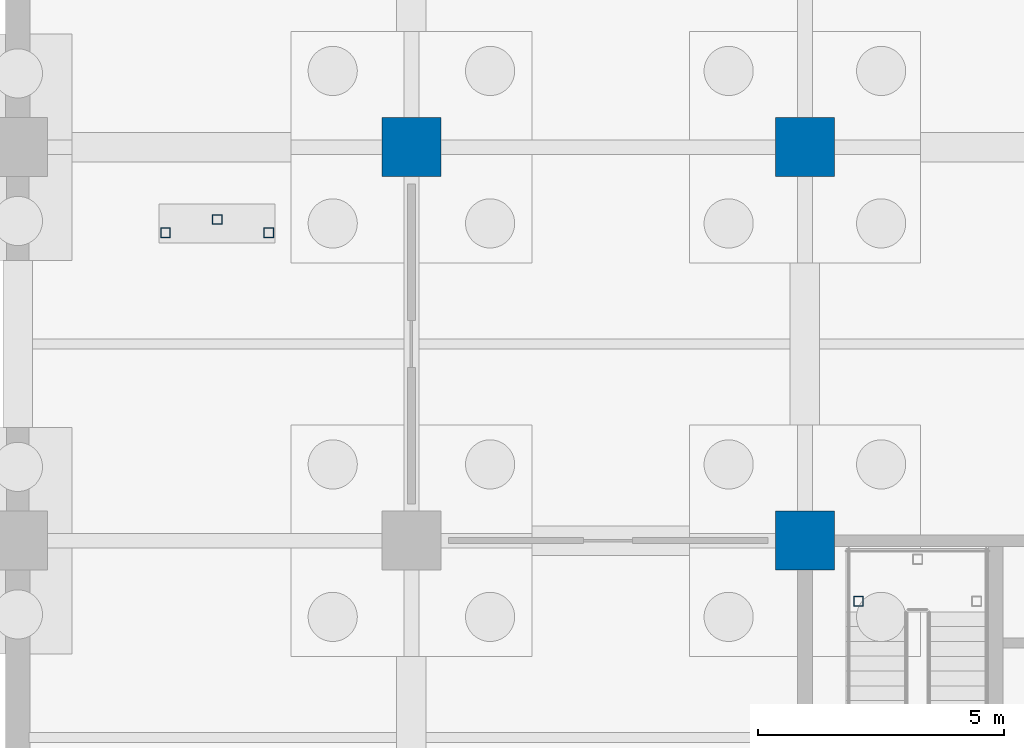
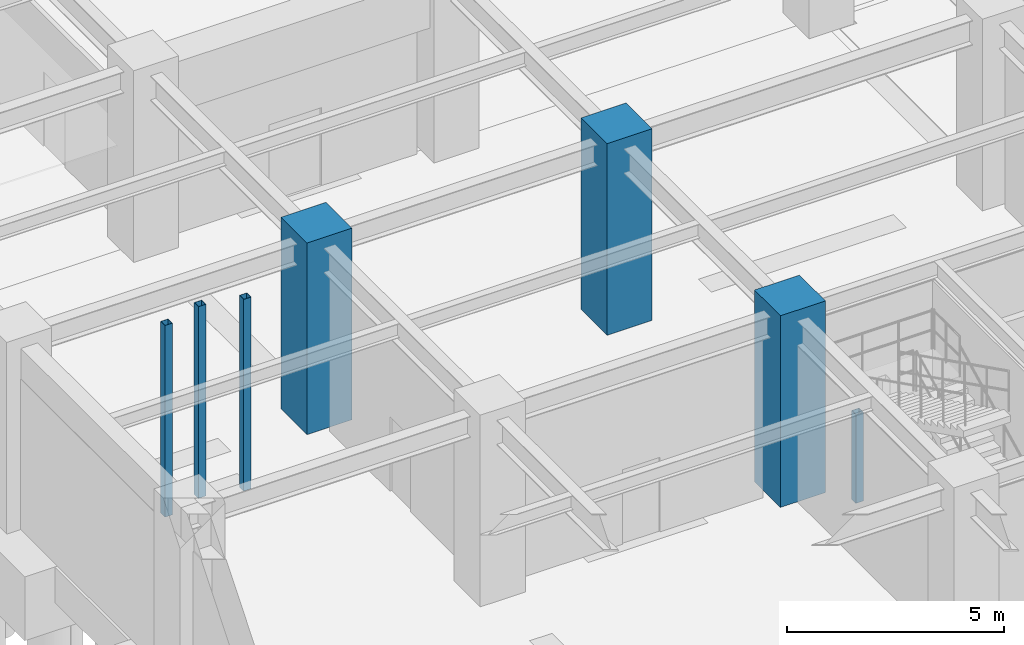
# One storey, part 47 of 97: 7 columns.
"""IFC4 building model written with IfcOpenShell, lengths in metres."""

import ifcopenshell
import ifcopenshell.guid

model = None  # the IFC model being written
_history = None  # IfcOwnerHistory: only IFC2X3 demands one
_inside = {}  # id of a spatial element -> (the spatial element, [elements in it])
_under = {}  # id of a project, library or spatial element -> (it, [spatial elements below it])
_declared = {}  # id of a project -> (the project, [libraries it declares])
_typed = {}  # id of a type object -> (the type object, [elements of that type])
_made_of = {}  # id of a material, layer set ... -> (it, [elements and type objects made of it])


def new_model(schema):
    """Start an empty IFC model of exactly this schema.

    Asked for "IFC4X3", IfcOpenShell would pick the latest addendum, in which some entities
    have other attributes; the version numbers below select the first issue.
    IFC2X3 requires an IfcOwnerHistory on every rooted entity: one is made here for all.
    """
    global model, _history
    if schema == "IFC4X3":
        model = ifcopenshell.file(schema_version=(4, 3, 0, 0))
    else:
        model = ifcopenshell.file(schema=schema)
    _inside.clear()
    _under.clear()
    _declared.clear()
    _typed.clear()
    _made_of.clear()
    _history = None
    if model.schema == "IFC2X3":
        org = make("IfcOrganization", Name="unknown")
        user = make(
            "IfcPersonAndOrganization",
            ThePerson=make("IfcPerson", FamilyName="unknown"),
            TheOrganization=org,
        )
        app = make(
            "IfcApplication",
            ApplicationDeveloper=org,
            Version="unknown",
            ApplicationFullName="unknown",
            ApplicationIdentifier="unknown",
        )
        _history = make(
            "IfcOwnerHistory",
            OwningUser=user,
            OwningApplication=app,
            ChangeAction="ADDED",
            CreationDate=0,
        )
    return model


def make(cls, **values):
    """One entity of the class cls with the attributes given. An attribute that is None is left unset."""
    return model.create_entity(
        cls, **{name: value for name, value in values.items() if value is not None}
    )


def rooted(cls, **values):
    """An entity with a GlobalId (a new one), such as an element, a storey or a relation."""
    return make(cls, GlobalId=ifcopenshell.guid.new(), OwnerHistory=_history, **values)


def si_unit(unit_type, name, prefix=None):
    """IfcSIUnit, for example si_unit("LENGTHUNIT", "METRE", prefix="MILLI")."""
    return make("IfcSIUnit", UnitType=unit_type, Prefix=prefix, Name=name)


def assignment(units):
    """IfcUnitAssignment: the units of a project."""
    return None if units is None else make("IfcUnitAssignment", Units=units)


def point(xyz):
    """IfcCartesianPoint."""
    return None if xyz is None else make("IfcCartesianPoint", Coordinates=xyz)


def direction(xyz):
    """IfcDirection."""
    return None if xyz is None else make("IfcDirection", DirectionRatios=xyz)


def frame(location, z_axis=None, x_axis=None):
    """IfcAxis2Placement3D, a coordinate frame: its origin and axes. An axis left out is left unset."""
    return make(
        "IfcAxis2Placement3D",
        Location=point(location),
        Axis=direction(z_axis),
        RefDirection=direction(x_axis),
    )


def frame_2d(location, x_axis=None):
    """IfcAxis2Placement2D, a coordinate frame in the plane: its origin and x axis."""
    return make(
        "IfcAxis2Placement2D", Location=point(location), RefDirection=direction(x_axis)
    )


def origin():
    """The frame at (0, 0, 0) with its axes left unset."""
    return frame((0.0, 0.0, 0.0))


def origin_2d():
    """The frame at (0, 0) in the plane with its x axis left unset."""
    return frame_2d((0.0, 0.0))


def place(relative_to, where):
    """IfcLocalPlacement: puts the frame where relative to a parent placement (None: the world)."""
    return make(
        "IfcLocalPlacement", PlacementRelTo=relative_to, RelativePlacement=where
    )


def context(
    kind, dimensions, precision=None, world=None, true_north=None, identifier=None
):
    """IfcGeometricRepresentationContext, for example the 3D "Model" context."""
    return make(
        "IfcGeometricRepresentationContext",
        ContextIdentifier=identifier,
        ContextType=kind,
        CoordinateSpaceDimension=dimensions,
        Precision=precision,
        WorldCoordinateSystem=world,
        TrueNorth=true_north,
    )


def subcontext(parent, identifier, kind, view, scale=None):
    """IfcGeometricRepresentationSubContext, for example "Body" below "Model"."""
    return make(
        "IfcGeometricRepresentationSubContext",
        ContextIdentifier=identifier,
        ContextType=kind,
        ParentContext=parent,
        TargetScale=scale,
        TargetView=view,
    )


def project(units=None, contexts=None):
    """IfcProject with its units and contexts."""
    return rooted(
        "IfcProject",
        Name="project",
        RepresentationContexts=contexts,
        UnitsInContext=assignment(units),
    )


def spatial(cls, under=None, at=None, **own):
    """A site, building, storey or space (cls), placed at a placement, below another one or the project."""
    s = rooted(cls, ObjectPlacement=at, **own)
    if under is not None:
        _under.setdefault(under.id(), (under, []))[1].append(s)
    return s


def profile(cls, at=None, kind="AREA", **sizes):
    """A parametric profile (cls). Its sizes go by their IFC names, for example OverallWidth=200.0."""
    return make(cls, ProfileType=kind, Position=at, **sizes)


def rectangle(**sizes):
    """IfcRectangleProfileDef."""
    return profile("IfcRectangleProfileDef", **sizes)


def hollow_rectangle(**sizes):
    """IfcRectangleHollowProfileDef."""
    return profile("IfcRectangleHollowProfileDef", **sizes)


def extrude(swept, where, along, depth):
    """IfcExtrudedAreaSolid: the profile swept, set in the frame where, extruded along a direction by depth."""
    return make(
        "IfcExtrudedAreaSolid",
        SweptArea=swept,
        Position=where,
        ExtrudedDirection=direction(along),
        Depth=depth,
    )


def shape(context_of_items, identifier, shape_type, items):
    """IfcShapeRepresentation: the items that make up one representation, for example the "Body"."""
    return make(
        "IfcShapeRepresentation",
        ContextOfItems=context_of_items,
        RepresentationIdentifier=identifier,
        RepresentationType=shape_type,
        Items=items,
    )


def material(Name=None, Category=None):
    """IfcMaterial."""
    return make("IfcMaterial", Name=Name, Category=Category)


def material_profile(
    of_material, cross_section, Name=None, Category=None, Priority=None
):
    """IfcMaterialProfile: a cross section and its material."""
    return make(
        "IfcMaterialProfile",
        Name=Name,
        Material=of_material,
        Profile=cross_section,
        Priority=Priority,
        Category=Category,
    )


def profile_set(profiles, Name=None, composite=None):
    """IfcMaterialProfileSet."""
    return make(
        "IfcMaterialProfileSet",
        Name=Name,
        MaterialProfiles=profiles,
        CompositeProfile=composite,
    )


def made_of(thing, what):
    """Note that an element or type object is made of a material, layer set ...; save() writes the relation."""
    if what is not None:
        _made_of.setdefault(what.id(), (what, []))[1].append(thing)
    return thing


def type_object(cls, material=None, **own):
    """A type object (cls), such as IfcWallType, which elements share."""
    return made_of(rooted(cls, **own), material)


def element(
    cls,
    number,
    at=None,
    inside=None,
    cuts=None,
    type_object=None,
    material=None,
    context=None,
    identifier="Body",
    shape_type=None,
    held_by="IfcProductDefinitionShape",
    body=None,
    shapes=None,
    **own,
):
    """One element of the class cls, such as IfcWall. Its Tag is "e" and its number.

    at: its placement. inside: the storey or other place that contains it. cuts: it is an
    opening in that element (IfcRelVoidsElement). A single representation is given by context,
    identifier, shape_type and body (its items); several are given by shapes. held_by: the class
    of the entity that holds the representations. save() writes the other relations.
    """
    e = rooted(cls, Tag="e%d" % number, ObjectPlacement=at, **own)
    if body is not None:
        shapes = [shape(context, identifier, shape_type, body)]
    if shapes is not None:
        e.Representation = make(held_by, Representations=shapes)
    if inside is not None:
        _inside.setdefault(inside.id(), (inside, []))[1].append(e)
    if cuts is not None:
        rooted(
            "IfcRelVoidsElement", RelatingBuildingElement=cuts, RelatedOpeningElement=e
        )
    if type_object is not None:
        _typed.setdefault(type_object.id(), (type_object, []))[1].append(e)
    return made_of(e, material)


def aggregate(whole, parts):
    """IfcRelAggregates: a whole, such as a stair, and the parts it consists of."""
    return rooted("IfcRelAggregates", RelatingObject=whole, RelatedObjects=parts)


def save(model, path):
    """Write the relations noted so far, then the file.

    IfcRelAggregates (storeys below a building ...), IfcRelContainedInSpatialStructure (elements
    in a storey), IfcRelDefinesByType, IfcRelAssociatesMaterial and IfcRelDeclares: one each for
    every whole, place, type object, material and project.
    """
    for whole, parts in _under.values():
        aggregate(whole, parts)
    for where, things in _inside.values():
        rooted(
            "IfcRelContainedInSpatialStructure",
            RelatedElements=things,
            RelatingStructure=where,
        )
    for kind, things in _typed.values():
        rooted("IfcRelDefinesByType", RelatedObjects=things, RelatingType=kind)
    for what, things in _made_of.values():
        rooted("IfcRelAssociatesMaterial", RelatedObjects=things, RelatingMaterial=what)
    for by, libraries in _declared.values():
        rooted("IfcRelDeclares", RelatingContext=by, RelatedDefinitions=libraries)
    model.write(path)


model = new_model("IFC4")

# Units and contexts
model_context = context("Model", 3, precision=1e-05, world=origin(), true_north=direction((0.0, 1.0)))
body_context = subcontext(model_context, "Body", "Model", "MODEL_VIEW")
ifc_project = project(units=[si_unit("LENGTHUNIT", "METRE"), si_unit("AREAUNIT", "SQUARE_METRE"), si_unit("VOLUMEUNIT", "CUBIC_METRE"), si_unit("PLANEANGLEUNIT", "RADIAN"), si_unit("MASSUNIT", "GRAM", prefix="KILO")], contexts=[model_context])

# Site, building, storey
site_placement = place(None, origin())
site = spatial("IfcSite", under=ifc_project, at=site_placement, CompositionType="ELEMENT")
building_placement = place(site_placement, origin())
building = spatial("IfcBuilding", under=site, at=building_placement, Name="Haebicheon Civic Stadium", CompositionType="ELEMENT")
storey_placement = place(building_placement, frame((0.0, 0.0, -5.39990234375)))
storey = spatial("IfcBuildingStorey", under=building, at=storey_placement, Name="B1", CompositionType="ELEMENT", Elevation=-5.39990234375)

# Columns
ifc_material_1 = material(Name="Concrete C40/50", Category="concrete")
ifc_material_profile_1 = material_profile(ifc_material_1, rectangle(XDim=1.199951171875, YDim=1.199951171875, at=origin_2d()), Name="RC-COL-1200x1200")
ifc_profile_set_1 = profile_set([ifc_material_profile_1], Name="Concrete C40/50")
column_type_1 = type_object("IfcColumnType", Name="COL-RC-1200", PredefinedType="COLUMN", material=ifc_profile_set_1)
for number, where, z_axis, x_axis, name in (
    (1, (208.0, 120.0, 0.0), (0.0, 0.0, 1.0), (1.0, 0.0, 0.0), "B1 column 27/R"),
    (2, (216.0, 112.0, 0.0), (0.0, 0.0, 1.0), (1.0, 0.0, 0.0), "B1 column 28/Q"),
    (3, (216.0, 120.0, 0.0), (0.0, 0.0, 1.0), (1.0, 0.0, 0.0), "B1 column 28/R"),
):
    element("IfcColumn", number, at=place(storey_placement, frame(where, z_axis=z_axis, x_axis=x_axis)), inside=storey, type_object=column_type_1, material=ifc_profile_set_1, Name=name, PredefinedType="COLUMN", context=body_context, shape_type="SweptSolid", body=[
        extrude(rectangle(XDim=1.199951171875, YDim=1.199951171875, at=origin_2d()), origin(), (0.0, 0.0, 1.0), 5.39990234375),
    ])
ifc_material_2 = material(Name="Steel SM355 (S355)", Category="steel")
ifc_material_profile_2 = material_profile(ifc_material_2, hollow_rectangle(XDim=0.199951171875, YDim=0.199951171875, WallThickness=0.009033203125, at=origin_2d()), Name="RHS-200x200x9.0")
ifc_profile_set_2 = profile_set([ifc_material_profile_2], Name="Steel SM355 (S355)")
column_type_2 = type_object("IfcColumnType", Name="COL-ST-RHS200", PredefinedType="COLUMN", material=ifc_profile_set_2)
column_placement = place(storey_placement, frame((217.090087890625, 110.77001953125, 0.0), z_axis=(0.0, 0.0, 1.0), x_axis=(1.0, 0.0, 0.0)))
element("IfcColumn", 4, at=column_placement, inside=storey, type_object=column_type_2, material=ifc_profile_set_2, Name="KC-13 B1 stair half-landing support post A", PredefinedType="COLUMN", context=body_context, shape_type="SweptSolid", body=[
    extrude(hollow_rectangle(XDim=0.199951171875, YDim=0.199951171875, WallThickness=0.009033203125, at=origin_2d()), origin(), (0.0, 0.0, 1.0), 2.5),
])
for number, where, z_axis, x_axis, name in (
    (5, (203.0, 118.260009765625, 0.0), (0.0, 0.0, 1.0), (1.0, 0.0, 0.0), "VM-12 B1 vomitory landing support post A"),
    (6, (205.10009765625, 118.260009765625, 0.0), (0.0, 0.0, 1.0), (1.0, 0.0, 0.0), "VM-12 B1 vomitory landing support post B"),
    (7, (204.050048828125, 118.530029296875, 0.0), (0.0, 0.0, 1.0), (1.0, 0.0, 0.0), "VM-12 B1 vomitory landing support post C"),
):
    element("IfcColumn", number, at=place(storey_placement, frame(where, z_axis=z_axis, x_axis=x_axis)), inside=storey, type_object=column_type_2, material=ifc_profile_set_2, Name=name, PredefinedType="COLUMN", context=body_context, shape_type="SweptSolid", body=[
        extrude(hollow_rectangle(XDim=0.199951171875, YDim=0.199951171875, WallThickness=0.009033203125, at=origin_2d()), origin(), (0.0, 0.0, 1.0), 5.39990234375),
    ])

save(model, "model.ifc")
